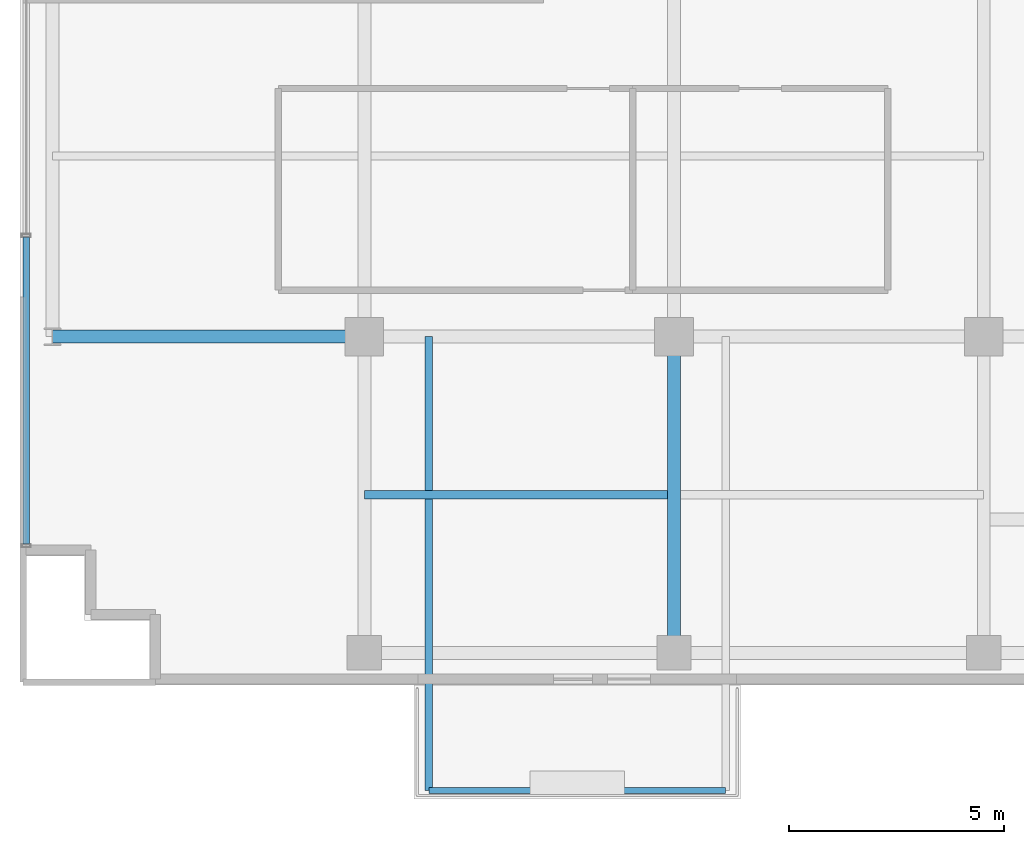
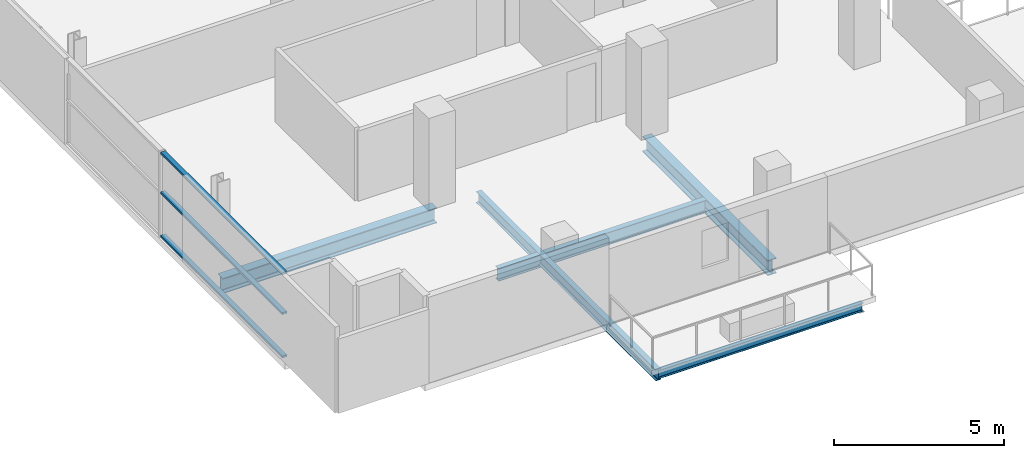
# One storey, part 3 of 25: 5 beams, 3 members, 1 element without a shape of its own.
"""IFC4 building model written with IfcOpenShell, lengths in metres."""

from ifc_helpers import new_model, si_unit, direction, frame, origin, origin_2d, place, context, subcontext, project, spatial, hollow_rectangle, i_section, extrude, source, transform, mapped, material, layer, layer_set, material_profile, profile_set, type_object, element, aggregate, save


model = new_model("IFC4")

# Units and contexts
model_context = context("Model", 3, precision=1e-05, world=origin(), true_north=direction((0.0, 1.0)))
body_context = subcontext(model_context, "Body", "Model", "MODEL_VIEW")
ifc_project = project(units=[si_unit("LENGTHUNIT", "METRE"), si_unit("AREAUNIT", "SQUARE_METRE"), si_unit("VOLUMEUNIT", "CUBIC_METRE"), si_unit("PLANEANGLEUNIT", "RADIAN"), si_unit("MASSUNIT", "GRAM", prefix="KILO")], contexts=[model_context])

# Site, building, storey
site_placement = place(None, origin())
site = spatial("IfcSite", under=ifc_project, at=site_placement, CompositionType="ELEMENT")
building_placement = place(site_placement, origin())
building = spatial("IfcBuilding", under=site, at=building_placement, Name="Zarnakvel Exchange Tower", CompositionType="ELEMENT")
storey_placement = place(building_placement, frame((0.0, 0.0, 93.39990234375)))
storey = spatial("IfcBuildingStorey", under=building, at=storey_placement, Name="L25", CompositionType="ELEMENT", Elevation=93.39990234375)

# Beams
ifc_material_1 = material(Name="Steel S355", Category="steel")
ifc_material_profile_1 = material_profile(ifc_material_1, i_section(OverallWidth=0.18994140625, OverallDepth=0.449951171875, WebThickness=0.009521484375, FlangeThickness=0.0146484375, FilletRadius=0.02099609375, at=origin_2d()))
ifc_profile_set_1 = profile_set([ifc_material_profile_1], Name="Steel S355")
beam_type_1 = type_object("IfcBeamType", Name="B-05", PredefinedType="JOIST", material=ifc_profile_set_1)
beam_1_placement = place(storey_placement, frame((-21.60009765625, -13.27490234375, -0.449951171875), z_axis=(1.0, 0.0, 0.0), x_axis=(0.0, 1.0, 0.0)))
element("IfcBeam", 1, at=beam_1_placement, inside=storey, type_object=beam_type_1, Name="L25 Composite Floor Secondary Joist", PredefinedType="JOIST", context=body_context, shape_type="SweptSolid", body=[
    extrude(i_section(OverallWidth=0.18994140625, OverallDepth=0.449951171875, WebThickness=0.009521484375, FlangeThickness=0.0146484375, FilletRadius=0.02099609375, at=origin_2d()), origin(), (0.0, 0.0, 1.0), 7.050048828125),
])
ifc_material_profile_2 = material_profile(ifc_material_1, i_section(OverallWidth=0.179931640625, OverallDepth=0.39990234375, WebThickness=0.008544921875, FlangeThickness=0.013427734375, FilletRadius=0.02099609375, at=origin_2d()))
ifc_profile_set_2 = profile_set([ifc_material_profile_2], Name="Steel S355")
beam_type_2 = type_object("IfcBeamType", Name="B-06", PredefinedType="JOIST", material=ifc_profile_set_2)
beam_2_placement = place(storey_placement, frame((-20.10009765625, -9.60009765625, -0.4248046875), z_axis=(0.0, -1.0, 0.0), x_axis=(1.0, 0.0, 0.0)))
element("IfcBeam", 2, at=beam_2_placement, inside=storey, type_object=beam_type_2, Name="L25 Continuous Back-Spanned Balcony Beam W", PredefinedType="JOIST", context=body_context, shape_type="SweptSolid", body=[
    extrude(i_section(OverallWidth=0.179931640625, OverallDepth=0.39990234375, WebThickness=0.008544921875, FlangeThickness=0.013427734375, FilletRadius=0.02099609375, at=origin_2d()), origin(), (0.0, 0.0, 1.0), 10.5498046875),
])
ifc_material_profile_3 = material_profile(ifc_material_1, i_section(OverallWidth=0.14990234375, OverallDepth=0.300048828125, WebThickness=0.007080078125, FlangeThickness=0.0107421875, FilletRadius=0.014892578125, at=origin_2d()))
ifc_profile_set_3 = profile_set([ifc_material_profile_3], Name="Steel S355")
beam_type_3 = type_object("IfcBeamType", Name="B-08", PredefinedType="JOIST", material=ifc_profile_set_3)
beam_3_placement = place(storey_placement, frame((-20.10009765625, -20.14990234375, -0.375), z_axis=(1.0, 0.0, 0.0), x_axis=(0.0, 1.0, 0.0)))
element("IfcBeam", 3, at=beam_3_placement, inside=storey, type_object=beam_type_3, Name="L25 Balcony Edge Beam", PredefinedType="JOIST", context=body_context, shape_type="SweptSolid", body=[
    extrude(i_section(OverallWidth=0.14990234375, OverallDepth=0.300048828125, WebThickness=0.007080078125, FlangeThickness=0.0107421875, FilletRadius=0.014892578125, at=origin_2d()), origin(), (0.0, 0.0, 1.0), 6.900146484375),
])
ifc_material_profile_4 = material_profile(ifc_material_1, i_section(OverallWidth=0.300048828125, OverallDepth=0.550048828125, WebThickness=0.014892578125, FlangeThickness=0.029052734375, FilletRadius=0.027099609375, at=origin_2d()))
ifc_profile_set_4 = profile_set([ifc_material_profile_4], Name="Steel S355")
beam_type_4 = type_object("IfcBeamType", Name="G-05", PredefinedType="BEAM", material=ifc_profile_set_4)
beam_4_placement = place(storey_placement, frame((-28.85009765625, -9.60009765625, -0.5), z_axis=(1.0, 0.0, 0.0), x_axis=(0.0, 1.0, 0.0)))
element("IfcBeam", 4, at=beam_4_placement, inside=storey, type_object=beam_type_4, Name="L25 Tower E-W Frame Beam", PredefinedType="BEAM", context=body_context, shape_type="SweptSolid", body=[
    extrude(i_section(OverallWidth=0.300048828125, OverallDepth=0.550048828125, WebThickness=0.014892578125, FlangeThickness=0.029052734375, FilletRadius=0.027099609375, at=origin_2d()), origin(), (0.0, 0.0, 1.0), 7.25),
])
beam_5_placement = place(storey_placement, frame((-14.39990234375, -16.949951171875, -0.5), z_axis=(0.0, 1.0, 0.0), x_axis=(-1.0, 0.0, 0.0)))
element("IfcBeam", 5, at=beam_5_placement, inside=storey, type_object=beam_type_4, Name="L25 Tower N-S Frame Beam", PredefinedType="BEAM", context=body_context, shape_type="SweptSolid", body=[
    extrude(i_section(OverallWidth=0.300048828125, OverallDepth=0.550048828125, WebThickness=0.014892578125, FlangeThickness=0.029052734375, FilletRadius=0.027099609375, at=origin_2d()), origin(), (0.0, 0.0, 1.0), 7.349853515625),
])

# Curtain wall, members
ifc_material_2 = material(Name="Architectural Bronze Anodised Aluminium", Category="aluminium")
ifc_layer = layer(ifc_material_2, 0.199951171875)
ifc_layer_set = layer_set([ifc_layer], Name="Architectural Bronze Anodised Aluminium")
curtain_wall_type = type_object("IfcCurtainWallType", Name="CW-04", PredefinedType="NOTDEFINED", material=ifc_layer_set)
curtain_wall_placement = place(storey_placement, origin())
curtain_wall = element("IfcCurtainWall", 6, at=curtain_wall_placement, inside=storey, type_object=curtain_wall_type, Name="L25 Curtain Wall CW-L25-W1 (CW-04)", PredefinedType="NOTDEFINED")
ifc_material_profile_5 = material_profile(ifc_material_2, hollow_rectangle(XDim=0.159912109375, YDim=0.074951171875, WallThickness=0.00390625, at=origin_2d()))
ifc_profile_set_5 = profile_set([ifc_material_profile_5], Name="Architectural Bronze Anodised Aluminium")
member_type = type_object("IfcMemberType", Name="CWT-04", PredefinedType="USERDEFINED", material=ifc_profile_set_5)
shared_shape = source(origin(), body_context, "Body", "SweptSolid", [
    extrude(hollow_rectangle(XDim=0.159912109375, YDim=0.074951171875, WallThickness=0.00390625, at=origin_2d()), origin(), (0.0, 0.0, 1.0), 7.137451171875),
])
member_1_placement = place(storey_placement, frame((-29.4599609375, -14.425048828125, 0.03759765625), z_axis=(0.0, 1.0, 0.0), x_axis=(-1.0, 0.0, 0.0)))
member_1 = element("IfcMember", 7, at=member_1_placement, type_object=member_type, Name="CW-04 transom 1.1", ObjectType="TRANSOM", PredefinedType="USERDEFINED", context=body_context, shape_type="MappedRepresentation", body=[
    mapped(shared_shape, transform((0.0, 0.0, 0.0), x_axis=(1.0, 0.0, 0.0), y_axis=(0.0, 1.0, 0.0), z_axis=(0.0, 0.0, 1.0), scale=1.0)),
])
member_2_placement = place(storey_placement, frame((-29.4599609375, -14.425048828125, 1.588623046875), z_axis=(0.0, 1.0, 0.0), x_axis=(-1.0, 0.0, 0.0)))
member_2 = element("IfcMember", 8, at=member_2_placement, type_object=member_type, Name="CW-04 transom 1.2", ObjectType="TRANSOM", PredefinedType="USERDEFINED", context=body_context, shape_type="MappedRepresentation", body=[
    mapped(shared_shape, transform((0.0, 0.0, 0.0), x_axis=(1.0, 0.0, 0.0), y_axis=(0.0, 1.0, 0.0), z_axis=(0.0, 0.0, 1.0), scale=1.0)),
])
member_3_placement = place(storey_placement, frame((-29.4599609375, -14.425048828125, 3.017578125), z_axis=(0.0, 1.0, 0.0), x_axis=(-1.0, 0.0, 0.0)))
member_3 = element("IfcMember", 9, at=member_3_placement, type_object=member_type, Name="CW-04 transom 1.3", ObjectType="TRANSOM", PredefinedType="USERDEFINED", context=body_context, shape_type="MappedRepresentation", body=[
    mapped(shared_shape, transform((0.0, 0.0, 0.0), x_axis=(1.0, 0.0, 0.0), y_axis=(0.0, 1.0, 0.0), z_axis=(0.0, 0.0, 1.0), scale=1.0)),
])
aggregate(curtain_wall, [member_1, member_2, member_3])

save(model, "model.ifc")
